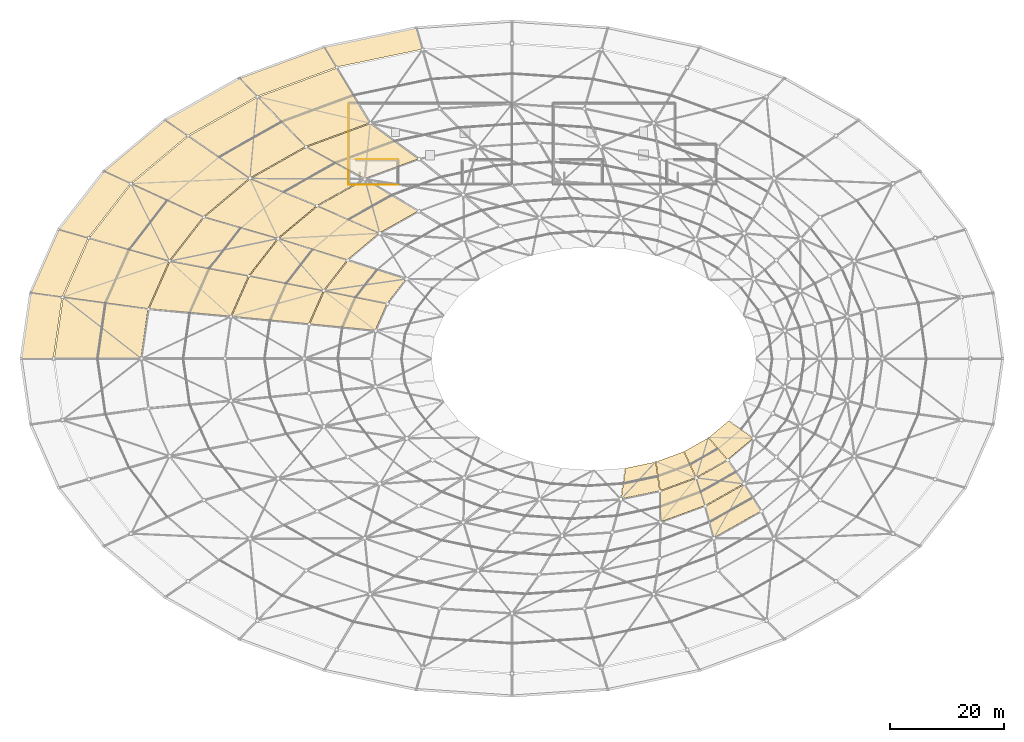
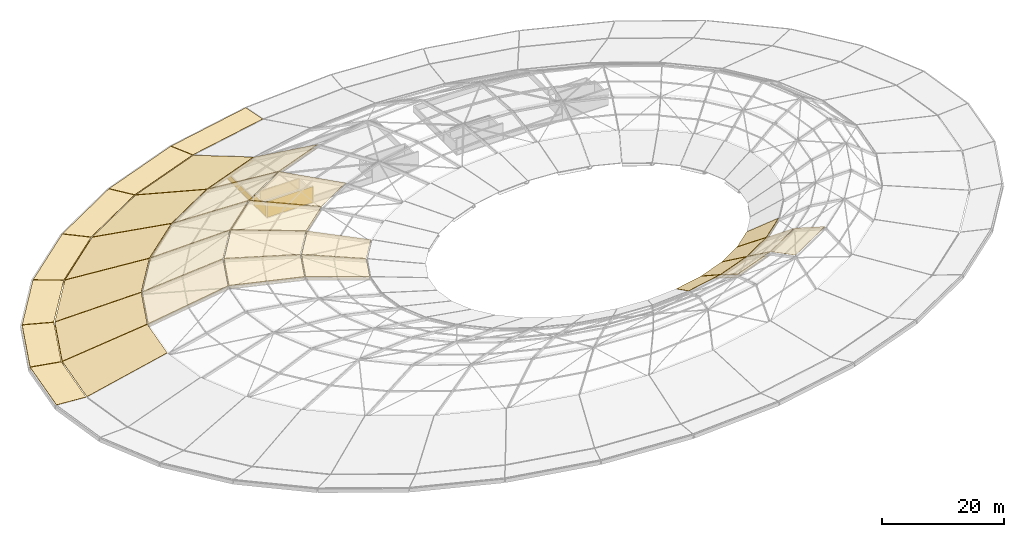
# One storey, part 26 of 30: 50 coverings.
"""IFC4 building model written with IfcOpenShell, lengths in metres."""

from ifc_helpers import new_model, si_unit, direction, frame, origin, origin_2d, place, context, subcontext, project, spatial, polyline, rectangle, outline, extrude, material, layer, layer_set, type_object, element, save


model = new_model("IFC4")

# Units and contexts
model_context = context("Model", 3, precision=1e-05, world=origin(), true_north=direction((0.0, 1.0)))
body_context = subcontext(model_context, "Body", "Model", "MODEL_VIEW")
ifc_project = project(units=[si_unit("LENGTHUNIT", "METRE"), si_unit("AREAUNIT", "SQUARE_METRE"), si_unit("VOLUMEUNIT", "CUBIC_METRE"), si_unit("PLANEANGLEUNIT", "RADIAN"), si_unit("MASSUNIT", "GRAM", prefix="KILO")], contexts=[model_context])

# Site, building, storey
site_placement = place(None, origin())
site = spatial("IfcSite", under=ifc_project, at=site_placement, CompositionType="ELEMENT")
building_placement = place(site_placement, origin())
building = spatial("IfcBuilding", under=site, at=building_placement, Name="Namkhue Oval Health Centre", CompositionType="ELEMENT")
storey_placement = place(building_placement, frame((0.0, 0.0, 26.39990234375)))
storey = spatial("IfcBuildingStorey", under=building, at=storey_placement, Name="RF", CompositionType="ELEMENT", Elevation=26.39990234375)

# Coverings
ifc_material_1 = material(Name="Slatted FSC timber acoustic soffit lining", Category="wood")
ifc_layer_1 = layer(ifc_material_1, 0.0400390625)
ifc_layer_set_1 = layer_set([ifc_layer_1], Name="Slatted FSC timber acoustic soffit lining")
covering_type_1 = type_object("IfcCoveringType", Name="SLATTED TIMBER SOFFIT CEILING 40", PredefinedType="CEILING", material=ifc_layer_set_1)
covering_1_placement = place(storey_placement, frame((53.343017578125, 114.185546875, 0.491455078125), z_axis=(0.032737529904, -0.089086259011, 0.995485757101), x_axis=(-0.938630551173, -0.344924177762, 4.43099e-07)))
element("IfcCovering", 1, at=covering_1_placement, inside=storey, type_object=covering_type_1, Name="Gridshell Canopy Slatted Timber Soffit K0-11", PredefinedType="CEILING", context=body_context, shape_type="SweptSolid", body=[
    extrude(outline(polyline([(0.0, 0.0), (15.802557697563413, 0.0), (14.01454935741236, 4.03344721094813), (-0.7726189498460142, 4.033304400568944), (0.0, 0.0)])), origin(), (0.0, 0.0, -1.0), 0.0400390625),
])
covering_2_placement = place(storey_placement, frame((25.349365234375, 101.321533203125, 0.49267578125), z_axis=(0.053762049906, -0.064176131317, 0.996489370821), x_axis=(-0.766561354037, -0.642171075724, -1.46024e-07)))
element("IfcCovering", 2, at=covering_2_placement, inside=storey, type_object=covering_type_1, Name="Gridshell Canopy Slatted Timber Soffit K0-13", PredefinedType="CEILING", context=body_context, shape_type="SweptSolid", body=[
    extrude(outline(polyline([(0.0, 0.0), (13.909646905209451, -8.881784197001252e-16), (11.736249092087503, 4.5987926852561625), (-1.2739480990193486, 4.598839639126922), (0.0, 0.0)])), origin(), (0.0, 0.0, -1.0), 0.0400390625),
])
covering_3_placement = place(storey_placement, frame((6.646728515625, 82.06787109375, 0.49365234375), z_axis=(0.066607833218, -0.02938905161, 0.997346319089), x_axis=(-0.403673069181, -0.91490330266, -3.5285e-07)))
element("IfcCovering", 3, at=covering_3_placement, inside=storey, type_object=covering_type_1, Name="Gridshell Canopy Slatted Timber Soffit K0-15", PredefinedType="CEILING", context=body_context, shape_type="SweptSolid", body=[
    extrude(outline(polyline([(0.0, 0.0), (12.080233983210904, -8.881784197001252e-16), (10.558141437876516, 5.31513256117358), (-0.7368073735753986, 5.315245851752626), (0.0, 0.0)])), origin(), (0.0, 0.0, -1.0), 0.0400390625),
])
covering_4_placement = place(storey_placement, frame((55.54541015625, 110.5302734375, 0.126953125), z_axis=(-0.102713755445, 0.279511611509, 0.954632465127), x_axis=(-0.938630095364, -0.344925418136, 4.58192e-07)))
element("IfcCovering", 4, at=covering_4_placement, inside=storey, type_object=covering_type_1, Name="Gridshell Canopy Slatted Timber Soffit K1-11", PredefinedType="CEILING", context=body_context, shape_type="SweptSolid", body=[
    extrude(outline(polyline([(0.0, 0.0), (14.742906242601475, -8.881784197001252e-16), (9.822723864490262, 11.57300097652242), (-2.1258785047471886, 11.573042045665701), (0.0, 0.0)])), origin(), (0.0, 0.0, -1.0), 0.0400390625),
])
covering_5_placement = place(storey_placement, frame((29.419921875, 98.52294921875, 0.1240234375), z_axis=(-0.170128801557, 0.203091515047, 0.964266574862), x_axis=(-0.766576159292, -0.642153402237, -8.04684e-07)))
element("IfcCovering", 5, at=covering_5_placement, inside=storey, type_object=covering_type_1, Name="Gridshell Canopy Slatted Timber Soffit K1-13", PredefinedType="CEILING", context=body_context, shape_type="SweptSolid", body=[
    extrude(outline(polyline([(0.0, 0.0), (12.975905292085148, 0.0), (7.016551791545525, 13.03024661351248), (-3.4937291258459626, 13.030175278904506), (0.0, 0.0)])), origin(), (0.0, 0.0, -1.0), 0.0400390625),
])
covering_6_placement = place(storey_placement, frame((11.96630859375, 80.552978515625, 0.12109375), z_axis=(-0.212441086668, 0.093737745952, 0.972667476417), x_axis=(-0.403694349545, -0.914893913055, -1.206069e-06)))
element("IfcCovering", 6, at=covering_6_placement, inside=storey, type_object=covering_type_1, Name="Gridshell Canopy Slatted Timber Soffit K1-15", PredefinedType="CEILING", context=body_context, shape_type="SweptSolid", body=[
    extrude(outline(polyline([(0.0, 0.0), (11.268597894417242, 0.0), (7.108980996924873, 14.892247283240136), (-2.013550467971211, 14.89214137089486), (0.0, 0.0)])), origin(), (0.0, 0.0, -1.0), 0.0400390625),
])
covering_7_placement = place(storey_placement, frame((61.4716796875, 100.756591796875, 3.63232421875), z_axis=(-0.12320577154, 0.335264184745, 0.934033331465), x_axis=(-0.938626054315, -0.344936414664, 7.26571e-07)))
element("IfcCovering", 7, at=covering_7_placement, inside=storey, type_object=covering_type_1, Name="Gridshell Canopy Slatted Timber Soffit K2-11", PredefinedType="CEILING", context=body_context, shape_type="SweptSolid", body=[
    extrude(outline(polyline([(0.0, 0.0), (11.894308419477884, 0.0), (4.312799369403991, 9.338808270164728), (-5.7859916338296715, 9.338853007520287), (0.0, 0.0)])), origin(), (0.0, 0.0, -1.0), 0.0400390625),
])
covering_8_placement = place(storey_placement, frame((40.328125, 91.04443359375, 3.6259765625), z_axis=(-0.185072944318, 0.220926693104, 0.957569528314), x_axis=(-0.766569639392, -0.642161185343, -7.86438e-07)))
element("IfcCovering", 8, at=covering_8_placement, inside=storey, type_object=covering_type_1, Name="Gridshell Canopy Slatted Timber Soffit K2-13", PredefinedType="CEILING", context=body_context, shape_type="SweptSolid", body=[
    extrude(outline(polyline([(0.0, 0.0), (10.473363995422202, 0.0), (3.013648255163925, 11.617347404433431), (-5.872753508638597, 11.617294576059944), (0.0, 0.0)])), origin(), (0.0, 0.0, -1.0), 0.0400390625),
])
covering_9_placement = place(storey_placement, frame((26.204345703125, 76.50634765625, 3.62158203125), z_axis=(-0.218181281084, 0.096268158125, 0.971148480056), x_axis=(-0.403682414671, -0.914899179191, -2.96076e-07)))
element("IfcCovering", 9, at=covering_9_placement, inside=storey, type_object=covering_type_1, Name="Gridshell Canopy Slatted Timber Soffit K2-15", PredefinedType="CEILING", context=body_context, shape_type="SweptSolid", body=[
    extrude(outline(polyline([(0.0, 0.0), (9.099577056047469, 0.0), (4.505770796915734, 14.076636770521), (-3.2107144309817865, 14.076615892799088), (0.0, 0.0)])), origin(), (0.0, 0.0, -1.0), 0.0400390625),
])
covering_10_placement = place(storey_placement, frame((52.154296875, 86.2119140625, 6.982177734375), z_axis=(0.12837354601, -0.153243160787, 0.979814659187), x_axis=(-0.766574467226, -0.642155422147, 1.996329e-06)))
element("IfcCovering", 10, at=covering_10_placement, inside=storey, type_object=covering_type_1, Name="Gridshell Canopy Slatted Timber Soffit K3-13", PredefinedType="CEILING", context=body_context, shape_type="SweptSolid", body=[
    extrude(outline(polyline([(0.0, 0.0), (8.86145667859026, -8.881784197001252e-16), (2.013036032761358, 10.825308827277835), (-5.2628341266217395, 10.825147676166356), (0.0, 0.0)])), origin(), (0.0, 0.0, -1.0), 0.0400390625),
])
covering_11_placement = place(storey_placement, frame((40.18505859375, 73.89111328125, 6.985107421875), z_axis=(0.151371365873, -0.066788436051, 0.986218035935), x_axis=(-0.4036798986, -0.914900289357, 8.29592e-07)))
element("IfcCovering", 11, at=covering_11_placement, inside=storey, type_object=covering_type_1, Name="Gridshell Canopy Slatted Timber Soffit K3-15", PredefinedType="CEILING", context=body_context, shape_type="SweptSolid", body=[
    extrude(outline(polyline([(0.0, 0.0), (7.6983398137062515, 0.0), (3.427626062607557, 13.116697717867739), (-2.8889358539815597, 13.11662744537015), (0.0, 0.0)])), origin(), (0.0, 0.0, -1.0), 0.0400390625),
])
covering_12_placement = place(storey_placement, frame((53.36181640625, 71.277099609375, 4.77392578125), z_axis=(0.266900152312, -0.117764036484, 0.956501929118), x_axis=(-0.403667193476, -0.914905895102, -4.365687e-06)))
element("IfcCovering", 12, at=covering_12_placement, inside=storey, type_object=covering_type_1, Name="Gridshell Canopy Slatted Timber Soffit K4-15", PredefinedType="CEILING", context=body_context, shape_type="SweptSolid", body=[
    extrude(outline(polyline([(0.0, 0.0), (6.297871219717964, -4.440892098500626e-16), (2.702063352441868, 11.475303688530142), (-2.3966732310316545, 11.475474239061555), (0.0, 0.0)])), origin(), (0.0, 0.0, -1.0), 0.0400390625),
])
covering_13_placement = place(storey_placement, frame((112.597900390625, 30.68359375, 4.750732421875), z_axis=(-0.189065933448, 0.514507881399, 0.836382515831), x_axis=(0.938631755363, 0.344920900821, -1.474134e-06)))
element("IfcCovering", 13, at=covering_13_placement, inside=storey, type_object=covering_type_1, Name="Gridshell Canopy Slatted Timber Soffit K4-27", PredefinedType="CEILING", context=body_context, shape_type="SweptSolid", body=[
    extrude(outline(polyline([(0.0, 0.0), (8.246037850297384, -4.440892098500626e-16), (8.442030850466255, 6.022584701418642), (1.7410210649503062, 6.0226248986423325), (0.0, 0.0)])), origin(), (0.0, 0.0, -1.0), 0.0400390625),
])
covering_14_placement = place(storey_placement, frame((112.481201171875, 36.168701171875, 1.3525390625), z_axis=(-0.182055727947, 0.495439615308, 0.849349927595), x_axis=(0.938632315248, 0.344919377184, -3.925493e-06)))
element("IfcCovering", 14, at=covering_14_placement, inside=storey, type_object=covering_type_1, Name="Gridshell Canopy Slatted Timber Soffit K5-27", PredefinedType="CEILING", context=body_context, shape_type="SweptSolid", body=[
    extrude(outline(polyline([(0.0, 0.0), (6.656289404918649, 0.0), (6.259304064037346, 5.882490253207861), (1.0700322682252563, 5.8825783490919665), (0.0, 0.0)])), origin(), (0.0, 0.0, -1.0), 0.0400390625),
])
covering_15_placement = place(storey_placement, frame((124.34716796875, 41.634521484375, 1.353271484375), z_axis=(-0.334460016336, 0.399268666354, 0.853651585566), x_axis=(0.766580555509, 0.642148154178, 1.063664e-06)))
element("IfcCovering", 15, at=covering_15_placement, inside=storey, type_object=covering_type_1, Name="Gridshell Canopy Slatted Timber Soffit K5-29", PredefinedType="CEILING", context=body_context, shape_type="SweptSolid", body=[
    extrude(outline(polyline([(0.0, 0.0), (5.852704969240003, 0.0), (4.514304455506923, 5.963787855414507), (-0.04571150030127316, 5.963766590650081), (0.0, 0.0)])), origin(), (0.0, 0.0, -1.0), 0.0400390625),
])
ifc_material_2 = material(Name="Standing-seam aluminium-zinc insulated roofing", Category="aluminium")
ifc_layer_2 = layer(ifc_material_2, 0.044921875)
ifc_layer_set_2 = layer_set([ifc_layer_2], Name="Standing-seam aluminium-zinc insulated roofing")
covering_type_2 = type_object("IfcCoveringType", Name="STANDING SEAM ROOFING 45", PredefinedType="ROOFING", material=ifc_layer_set_2)
covering_16_placement = place(storey_placement, frame((69.52783203125, 117.563720703125, 1.13818359375), z_axis=(0.020149844849, -0.096617533487, 0.995117599068), x_axis=(-0.97893864313, -0.204154679071, 5.42885e-07)))
element("IfcCovering", 16, at=covering_16_placement, inside=storey, type_object=covering_type_2, Name="Elliptical Gridshell Standing Seam Roofing K0-10", PredefinedType="ROOFING", context=body_context, shape_type="SweptSolid", body=[
    extrude(outline(polyline([(0.0, 0.0), (16.445485144497084, -4.440892098500626e-16), (15.0973871172491, 3.871352706761074), (-0.29370035746892614, 3.871177587935793), (0.0, 0.0)])), origin(), (0.0, 0.0, -1.0), 0.044921875),
])
covering_17_placement = place(storey_placement, frame((53.343017578125, 114.185546875, 1.138671875), z_axis=(0.032758220177, -0.089142561944, 0.995480036295), x_axis=(-0.938630551154, -0.344924177812, 4.43377e-07)))
element("IfcCovering", 17, at=covering_17_placement, inside=storey, type_object=covering_type_2, Name="Elliptical Gridshell Standing Seam Roofing K0-11", PredefinedType="ROOFING", context=body_context, shape_type="SweptSolid", body=[
    extrude(outline(polyline([(0.0, 0.0), (15.80255769756341, 0.0), (14.014549357412362, 4.033470389537509), (-0.7726189498460182, 4.033327579979017), (0.0, 0.0)])), origin(), (0.0, 0.0, -1.0), 0.044921875),
])
covering_18_placement = place(storey_placement, frame((38.425537109375, 108.701416015625, 1.138916015625), z_axis=(0.044082287911, -0.078130329397, 0.995968073545), x_axis=(-0.870939486541, -0.491390283566, 5.22588e-07)))
element("IfcCovering", 18, at=covering_18_placement, inside=storey, type_object=covering_type_2, Name="Elliptical Gridshell Standing Seam Roofing K0-12", PredefinedType="ROOFING", context=body_context, shape_type="SweptSolid", body=[
    extrude(outline(polyline([(0.0, 0.0), (14.92248530113261, -8.881784197001252e-16), (12.838955464622689, 4.278259172458241), (-1.1218517171195217, 4.278090915361625), (0.0, 0.0)])), origin(), (0.0, 0.0, -1.0), 0.044921875),
])
covering_19_placement = place(storey_placement, frame((25.349365234375, 101.321533203125, 1.1396484375), z_axis=(0.053762049906, -0.064176131317, 0.996489370821), x_axis=(-0.766561354037, -0.642171075724, -1.46024e-07)))
element("IfcCovering", 19, at=covering_19_placement, inside=storey, type_object=covering_type_2, Name="Elliptical Gridshell Standing Seam Roofing K0-13", PredefinedType="ROOFING", context=body_context, shape_type="SweptSolid", body=[
    extrude(outline(polyline([(0.0, 0.0), (13.909646905209451, -8.881784197001252e-16), (11.736249092087503, 4.5987926852561625), (-1.2739480990193486, 4.598839639126922), (0.0, 0.0)])), origin(), (0.0, 0.0, -1.0), 0.044921875),
])
covering_20_placement = place(storey_placement, frame((14.618408203125, 92.328369140625, 1.14013671875), z_axis=(0.061353092778, -0.047699993446, 0.996975681063), x_axis=(-0.613788661906, -0.789470378492, 1.01146e-07)))
element("IfcCovering", 20, at=covering_20_placement, inside=storey, type_object=covering_type_2, Name="Elliptical Gridshell Standing Seam Roofing K0-14", PredefinedType="ROOFING", context=body_context, shape_type="SweptSolid", body=[
    extrude(outline(polyline([(0.0, 0.0), (12.904530024973468, 1.7763568394002505e-15), (10.907092694096388, 4.966757780622863), (-1.1605920699277579, 4.96672527906856), (0.0, 0.0)])), origin(), (0.0, 0.0, -1.0), 0.044921875),
])
covering_21_placement = place(storey_placement, frame((6.646728515625, 82.06787109375, 1.140625), z_axis=(0.066607833218, -0.02938905161, 0.997346319089), x_axis=(-0.403673069181, -0.91490330266, -3.5285e-07)))
element("IfcCovering", 21, at=covering_21_placement, inside=storey, type_object=covering_type_2, Name="Elliptical Gridshell Standing Seam Roofing K0-15", PredefinedType="ROOFING", context=body_context, shape_type="SweptSolid", body=[
    extrude(outline(polyline([(0.0, 0.0), (12.080233983210904, -8.881784197001252e-16), (10.558141437876516, 5.31513256117358), (-0.7368073735753986, 5.315245851752626), (0.0, 0.0)])), origin(), (0.0, 0.0, -1.0), 0.044921875),
])
covering_22_placement = place(storey_placement, frame((1.7431640625, 70.9345703125, 1.140869140625), z_axis=(0.069282472484, -0.00992574886, 0.997547702376), x_axis=(-0.141815844053, -0.98989305805, -7.777e-08)))
element("IfcCovering", 22, at=covering_22_placement, inside=storey, type_object=covering_type_2, Name="Elliptical Gridshell Standing Seam Roofing K0-16", PredefinedType="ROOFING", context=body_context, shape_type="SweptSolid", body=[
    extrude(outline(polyline([(0.0, 0.0), (11.610017545639138, -2.220446049250313e-16), (10.818881824643194, 5.535806068070811), (-0.03520813836351356, 5.535831029326301), (0.0, 0.0)])), origin(), (0.0, 0.0, -1.0), 0.044921875),
])
covering_23_placement = place(storey_placement, frame((55.54541015625, 110.5302734375, 0.77880859375), z_axis=(-0.10272038654, 0.279529656493, 0.95462646796), x_axis=(-0.938630095371, -0.344925418119, 4.58219e-07)))
element("IfcCovering", 23, at=covering_23_placement, inside=storey, type_object=covering_type_2, Name="Elliptical Gridshell Standing Seam Roofing K1-11", PredefinedType="ROOFING", context=body_context, shape_type="SweptSolid", body=[
    extrude(outline(polyline([(0.0, 0.0), (14.742906242601473, 0.0), (9.822723864490262, 11.573073680769719), (-2.125878504747189, 11.573114749654996), (0.0, 0.0)])), origin(), (0.0, 0.0, -1.0), 0.044921875),
])
covering_24_placement = place(storey_placement, frame((41.623291015625, 105.411376953125, 0.777587890625), z_axis=(-0.138893183701, 0.246170944741, 0.959222888325), x_axis=(-0.870933882183, -0.491400216588, 1.747117e-06)))
element("IfcCovering", 24, at=covering_24_placement, inside=storey, type_object=covering_type_2, Name="Elliptical Gridshell Standing Seam Roofing K1-12", PredefinedType="ROOFING", context=body_context, shape_type="SweptSolid", body=[
    extrude(outline(polyline([(0.0, 0.0), (13.921561245083682, 0.0), (8.197918543198737, 12.202197233041476), (-3.081809875345191, 12.202353006885643), (0.0, 0.0)])), origin(), (0.0, 0.0, -1.0), 0.044921875),
])
covering_25_placement = place(storey_placement, frame((29.419921875, 98.52294921875, 0.77587890625), z_axis=(-0.170139988706, 0.203104869723, 0.964261788177), x_axis=(-0.766576159273, -0.642153402259, -8.04733e-07)))
element("IfcCovering", 25, at=covering_25_placement, inside=storey, type_object=covering_type_2, Name="Elliptical Gridshell Standing Seam Roofing K1-13", PredefinedType="ROOFING", context=body_context, shape_type="SweptSolid", body=[
    extrude(outline(polyline([(0.0, 0.0), (12.975905292085145, 1.7763568394002505e-15), (7.016551791545524, 13.030311296661807), (-3.4937291258459657, 13.03023996240794), (0.0, 0.0)])), origin(), (0.0, 0.0, -1.0), 0.044921875),
])
covering_26_placement = place(storey_placement, frame((19.4052734375, 90.12939453125, 0.7744140625), z_axis=(-0.195052004568, 0.151643741344, 0.96899891188), x_axis=(-0.613781870874, -0.78947565826, -3.52697e-07)))
element("IfcCovering", 26, at=covering_26_placement, inside=storey, type_object=covering_type_2, Name="Elliptical Gridshell Standing Seam Roofing K1-14", PredefinedType="ROOFING", context=body_context, shape_type="SweptSolid", body=[
    extrude(outline(polyline([(0.0, 0.0), (12.037942746398443, -8.881784197001252e-16), (6.571366158357307, 13.985488586376757), (-3.1762902751573936, 13.985457486394111), (0.0, 0.0)])), origin(), (0.0, 0.0, -1.0), 0.044921875),
])
covering_27_placement = place(storey_placement, frame((11.96630859375, 80.552978515625, 0.77294921875), z_axis=(-0.212455276554, 0.093744007114, 0.972663773662), x_axis=(-0.40369434951, -0.91489391307, -1.206145e-06)))
element("IfcCovering", 27, at=covering_27_placement, inside=storey, type_object=covering_type_2, Name="Elliptical Gridshell Standing Seam Roofing K1-15", PredefinedType="ROOFING", context=body_context, shape_type="SweptSolid", body=[
    extrude(outline(polyline([(0.0, 0.0), (11.26859789441724, 0.0), (7.108980996924874, 14.892303975045468), (-2.0135504679712137, 14.892198063103379), (0.0, 0.0)])), origin(), (0.0, 0.0, -1.0), 0.044921875),
])
covering_28_placement = place(storey_placement, frame((7.390380859375, 70.162353515625, 0.772216796875), z_axis=(-0.221398563448, 0.031715542749, 0.974667533291), x_axis=(-0.141797236863, -0.989895723607, 1.41135e-06)))
element("IfcCovering", 28, at=covering_28_placement, inside=storey, type_object=covering_type_2, Name="Elliptical Gridshell Standing Seam Roofing K1-16", PredefinedType="ROOFING", context=body_context, shape_type="SweptSolid", body=[
    extrude(outline(polyline([(0.0, 0.0), (10.829886655075333, 0.0), (8.670218534604265, 15.46868090951535), (-0.09611084283821034, 15.468804567254889), (0.0, 0.0)])), origin(), (0.0, 0.0, -1.0), 0.044921875),
])
covering_29_placement = place(storey_placement, frame((61.4716796875, 100.756591796875, 4.289306640625), z_axis=(-0.12320577154, 0.335264184745, 0.934033331465), x_axis=(-0.938626054315, -0.344936414664, 7.26571e-07)))
element("IfcCovering", 29, at=covering_29_placement, inside=storey, type_object=covering_type_2, Name="Elliptical Gridshell Standing Seam Roofing K2-11", PredefinedType="ROOFING", context=body_context, shape_type="SweptSolid", body=[
    extrude(outline(polyline([(0.0, 0.0), (11.894308419477884, 0.0), (4.312799369403991, 9.338808270164728), (-5.7859916338296715, 9.338853007520287), (0.0, 0.0)])), origin(), (0.0, 0.0, -1.0), 0.044921875),
])
covering_30_placement = place(storey_placement, frame((50.204345703125, 96.61669921875, 4.2861328125), z_axis=(-0.157922686514, 0.279892206807, 0.946953418946), x_axis=(-0.870927065105, -0.49141229864, 3.517427e-06)))
element("IfcCovering", 30, at=covering_30_placement, inside=storey, type_object=covering_type_2, Name="Elliptical Gridshell Standing Seam Roofing K2-12", PredefinedType="ROOFING", context=body_context, shape_type="SweptSolid", body=[
    extrude(outline(polyline([(0.0, 0.0), (11.233939704820234, 8.881784197001252e-16), (3.4430982146086992, 10.399290785882009), (-6.0916690255506865, 10.399518100846292), (0.0, 0.0)])), origin(), (0.0, 0.0, -1.0), 0.044921875),
])
covering_31_placement = place(storey_placement, frame((40.328125, 91.04443359375, 4.282958984375), z_axis=(-0.185072944318, 0.220926693104, 0.957569528314), x_axis=(-0.766569639392, -0.642161185343, -7.86438e-07)))
element("IfcCovering", 31, at=covering_31_placement, inside=storey, type_object=covering_type_2, Name="Elliptical Gridshell Standing Seam Roofing K2-13", PredefinedType="ROOFING", context=body_context, shape_type="SweptSolid", body=[
    extrude(outline(polyline([(0.0, 0.0), (10.473363995422202, 0.0), (3.013648255163925, 11.617347404433431), (-5.872753508638597, 11.617294576059944), (0.0, 0.0)])), origin(), (0.0, 0.0, -1.0), 0.044921875),
])
covering_32_placement = place(storey_placement, frame((32.223876953125, 84.254150390625, 4.280517578125), z_axis=(-0.205052770393, 0.159424689867, 0.965679620586), x_axis=(-0.613799403914, -0.789462026796, -1.583811e-06)))
element("IfcCovering", 32, at=covering_32_placement, inside=storey, type_object=covering_type_2, Name="Elliptical Gridshell Standing Seam Roofing K2-14", PredefinedType="ROOFING", context=body_context, shape_type="SweptSolid", body=[
    extrude(outline(polyline([(0.0, 0.0), (9.719092044133925, 8.881784197001252e-16), (3.291599298203575, 12.910319294848467), (-4.951975383048751, 12.910209762648428), (0.0, 0.0)])), origin(), (0.0, 0.0, -1.0), 0.044921875),
])
covering_33_placement = place(storey_placement, frame((26.204345703125, 76.50634765625, 4.278564453125), z_axis=(-0.218196246313, 0.096274761235, 0.971144463221), x_axis=(-0.403682414662, -0.914899179196, -2.96095e-07)))
element("IfcCovering", 33, at=covering_33_placement, inside=storey, type_object=covering_type_2, Name="Elliptical Gridshell Standing Seam Roofing K2-15", PredefinedType="ROOFING", context=body_context, shape_type="SweptSolid", body=[
    extrude(outline(polyline([(0.0, 0.0), (9.099577056047469, -4.440892098500626e-16), (4.505770796915736, 14.076694994085788), (-3.210714430981786, 14.07667411645023), (0.0, 0.0)])), origin(), (0.0, 0.0, -1.0), 0.044921875),
])
covering_34_placement = place(storey_placement, frame((60.524169921875, 90.933837890625, 7.64208984375), z_axis=(0.109496423861, -0.194068876245, 0.974857838064), x_axis=(-0.870936223107, -0.491396067627, -2.88036e-07)))
element("IfcCovering", 34, at=covering_34_placement, inside=storey, type_object=covering_type_2, Name="Elliptical Gridshell Standing Seam Roofing K3-12", PredefinedType="ROOFING", context=body_context, shape_type="SweptSolid", body=[
    extrude(outline(polyline([(0.0, 0.0), (9.505362782028726, 8.881784197001252e-16), (2.4078136046569516, 9.69318967902931), (-5.399919751048516, 9.693212058634671), (0.0, 0.0)])), origin(), (0.0, 0.0, -1.0), 0.044921875),
])
covering_35_placement = place(storey_placement, frame((52.154296875, 86.2119140625, 7.64404296875), z_axis=(0.12837354601, -0.153243160787, 0.979814659187), x_axis=(-0.766574467226, -0.642155422147, 1.996329e-06)))
element("IfcCovering", 35, at=covering_35_placement, inside=storey, type_object=covering_type_2, Name="Elliptical Gridshell Standing Seam Roofing K3-13", PredefinedType="ROOFING", context=body_context, shape_type="SweptSolid", body=[
    extrude(outline(polyline([(0.0, 0.0), (8.86145667859026, -8.881784197001252e-16), (2.013036032761358, 10.825308827277835), (-5.2628341266217395, 10.825147676166356), (0.0, 0.0)])), origin(), (0.0, 0.0, -1.0), 0.044921875),
])
covering_36_placement = place(storey_placement, frame((45.285888671875, 80.457275390625, 7.64599609375), z_axis=(0.142263711546, -0.110606127383, 0.983629666573), x_axis=(-0.613786563882, -0.789472009635, -9.0175e-07)))
element("IfcCovering", 36, at=covering_36_placement, inside=storey, type_object=covering_type_2, Name="Elliptical Gridshell Standing Seam Roofing K3-14", PredefinedType="ROOFING", context=body_context, shape_type="SweptSolid", body=[
    extrude(outline(polyline([(0.0, 0.0), (8.222526150574593, -4.440892098500626e-16), (2.2857238919119744, 12.029418527111181), (-4.462997859955785, 12.029493444941552), (0.0, 0.0)])), origin(), (0.0, 0.0, -1.0), 0.044921875),
])
covering_37_placement = place(storey_placement, frame((40.18505859375, 73.89111328125, 7.647216796875), z_axis=(0.151371365873, -0.066788436051, 0.986218035935), x_axis=(-0.4036798986, -0.914900289357, 8.29592e-07)))
element("IfcCovering", 37, at=covering_37_placement, inside=storey, type_object=covering_type_2, Name="Elliptical Gridshell Standing Seam Roofing K3-15", PredefinedType="ROOFING", context=body_context, shape_type="SweptSolid", body=[
    extrude(outline(polyline([(0.0, 0.0), (7.6983398137062515, 0.0), (3.427626062607557, 13.116697717867739), (-2.8889358539815597, 13.11662744537015), (0.0, 0.0)])), origin(), (0.0, 0.0, -1.0), 0.044921875),
])
covering_38_placement = place(storey_placement, frame((121.93603515625, 27.895751953125, 7.629638671875), z_axis=(-0.177095613482, 0.3138834191, 0.932799197523), x_axis=(0.870938055847, 0.491392819318, -8.02899e-07)))
element("IfcCovering", 38, at=covering_38_placement, inside=storey, type_object=covering_type_2, Name="Elliptical Gridshell Standing Seam Roofing K3-28", PredefinedType="ROOFING", context=body_context, shape_type="SweptSolid", body=[
    extrude(outline(polyline([(0.0, 0.0), (9.510389835961131, -4.440892098500626e-16), (9.256505315005674, 5.924036915262301), (1.4238493206166836, 5.924075552467147), (0.0, 0.0)])), origin(), (0.0, 0.0, -1.0), 0.044921875),
])
covering_39_placement = place(storey_placement, frame((57.5439453125, 76.662841796875, 5.438720703125), z_axis=(0.249144348708, -0.193700191967, 0.948897955072), x_axis=(-0.6137712886, -0.789483885368, -5.830128e-06)))
element("IfcCovering", 39, at=covering_39_placement, inside=storey, type_object=covering_type_2, Name="Elliptical Gridshell Standing Seam Roofing K4-14", PredefinedType="ROOFING", context=body_context, shape_type="SweptSolid", body=[
    extrude(outline(polyline([(0.0, 0.0), (6.72752337165045, -4.440892098500626e-16), (1.743487063938662, 10.593887715334194), (-3.704893356877349, 10.594112654762412), (0.0, 0.0)])), origin(), (0.0, 0.0, -1.0), 0.044921875),
])
covering_40_placement = place(storey_placement, frame((53.36181640625, 71.277099609375, 5.44091796875), z_axis=(0.266900152312, -0.117764036484, 0.956501929118), x_axis=(-0.403667193476, -0.914905895102, -4.365687e-06)))
element("IfcCovering", 40, at=covering_40_placement, inside=storey, type_object=covering_type_2, Name="Elliptical Gridshell Standing Seam Roofing K4-15", PredefinedType="ROOFING", context=body_context, shape_type="SweptSolid", body=[
    extrude(outline(polyline([(0.0, 0.0), (6.297871219717964, -4.440892098500626e-16), (2.702063352441868, 11.475303688530142), (-2.3966732310316545, 11.475474239061555), (0.0, 0.0)])), origin(), (0.0, 0.0, -1.0), 0.044921875),
])
covering_41_placement = place(storey_placement, frame((112.597900390625, 30.68359375, 5.417724609375), z_axis=(-0.189065933448, 0.514507881399, 0.836382515831), x_axis=(0.938631755363, 0.344920900821, -1.474134e-06)))
element("IfcCovering", 41, at=covering_41_placement, inside=storey, type_object=covering_type_2, Name="Elliptical Gridshell Standing Seam Roofing K4-27", PredefinedType="ROOFING", context=body_context, shape_type="SweptSolid", body=[
    extrude(outline(polyline([(0.0, 0.0), (8.246037850297384, -4.440892098500626e-16), (8.442030850466255, 6.022584701418642), (1.7410210649503062, 6.0226248986423325), (0.0, 0.0)])), origin(), (0.0, 0.0, -1.0), 0.044921875),
])
covering_42_placement = place(storey_placement, frame((120.414306640625, 33.564208984375, 5.4169921875), z_axis=(-0.273012324209, 0.483892068631, 0.831452185484), x_axis=(0.870937658911, 0.491393522808, -5.669313e-06)))
element("IfcCovering", 42, at=covering_42_placement, inside=storey, type_object=covering_type_2, Name="Elliptical Gridshell Standing Seam Roofing K4-28", PredefinedType="ROOFING", context=body_context, shape_type="SweptSolid", body=[
    extrude(outline(polyline([(0.0, 0.0), (7.785324243981882, 0.0), (7.329294143230068, 5.9391379264789474), (1.002852309761472, 5.939281923158651), (0.0, 0.0)])), origin(), (0.0, 0.0, -1.0), 0.044921875),
])
covering_43_placement = place(storey_placement, frame((105.618408203125, 34.72998046875, 2.025390625), z_axis=(-0.106180582631, 0.509149746942, 0.854103166521), x_axis=(0.978938842083, 0.204153725072, -6.09815e-07)))
element("IfcCovering", 43, at=covering_43_placement, inside=storey, type_object=covering_type_2, Name="Elliptical Gridshell Standing Seam Roofing K5-26", PredefinedType="ROOFING", context=body_context, shape_type="SweptSolid", body=[
    extrude(outline(polyline([(0.0, 0.0), (6.927642989434663, 0.0), (7.25654477468893, 5.972734541512028), (1.8559395872540994, 5.972748996219179), (0.0, 0.0)])), origin(), (0.0, 0.0, -1.0), 0.044921875),
])
covering_44_placement = place(storey_placement, frame((112.481201171875, 36.168701171875, 2.024658203125), z_axis=(-0.182055727947, 0.495439615308, 0.849349927595), x_axis=(0.938632315248, 0.344919377184, -3.925493e-06)))
element("IfcCovering", 44, at=covering_44_placement, inside=storey, type_object=covering_type_2, Name="Elliptical Gridshell Standing Seam Roofing K5-27", PredefinedType="ROOFING", context=body_context, shape_type="SweptSolid", body=[
    extrude(outline(polyline([(0.0, 0.0), (6.656289404918649, 0.0), (6.259304064037346, 5.882490253207861), (1.0700322682252563, 5.8825783490919665), (0.0, 0.0)])), origin(), (0.0, 0.0, -1.0), 0.044921875),
])
covering_45_placement = place(storey_placement, frame((118.80517578125, 38.5, 2.024658203125), z_axis=(-0.259426949455, 0.459795764264, 0.849285295447), x_axis=(0.870939596554, 0.491390088526, 7.207693e-06)))
element("IfcCovering", 45, at=covering_45_placement, inside=storey, type_object=covering_type_2, Name="Elliptical Gridshell Standing Seam Roofing K5-28", PredefinedType="ROOFING", context=body_context, shape_type="SweptSolid", body=[
    extrude(outline(polyline([(0.0, 0.0), (6.283046673992098, 0.0), (5.309119155514227, 5.881450599490743), (0.4115827336166656, 5.88129795506272), (0.0, 0.0)])), origin(), (0.0, 0.0, -1.0), 0.044921875),
])
covering_46_placement = place(storey_placement, frame((124.34716796875, 41.634521484375, 2.025146484375), z_axis=(-0.334460016336, 0.399268666354, 0.853651585566), x_axis=(0.766580555509, 0.642148154178, 1.063664e-06)))
element("IfcCovering", 46, at=covering_46_placement, inside=storey, type_object=covering_type_2, Name="Elliptical Gridshell Standing Seam Roofing K5-29", PredefinedType="ROOFING", context=body_context, shape_type="SweptSolid", body=[
    extrude(outline(polyline([(0.0, 0.0), (5.852704969240003, 0.0), (4.514304455506923, 5.963787855414507), (-0.04571150030127316, 5.963766590650081), (0.0, 0.0)])), origin(), (0.0, 0.0, -1.0), 0.044921875),
])
ifc_material_3 = material(Name="White glass-fibre reinforced concrete GRC rainscreen cladding", Category="concrete")
ifc_layer_3 = layer(ifc_material_3, 0.02490234375)
ifc_layer_set_3 = layer_set([ifc_layer_3], Name="White glass-fibre reinforced concrete GRC rainscreen cladding")
covering_type_3 = type_object("IfcCoveringType", Name="WHITE GRC RAINSCREEN CLADDING 25", PredefinedType="CLADDING", material=ifc_layer_set_3)
covering_47_placement = place(storey_placement, frame((57.587890625, 99.399658203125, 0.01025390625), z_axis=(0.0, 0.0, 1.0), x_axis=(0.0, 1.0, 0.0)))
element("IfcCovering", 47, at=covering_47_placement, inside=storey, type_object=covering_type_3, Name="Volume V2 RF Parapet 1 White GRC Cladding 1", PredefinedType="CLADDING", context=body_context, shape_type="SweptSolid", body=[
    extrude(rectangle(XDim=9.755615234375, YDim=0.02490234375, at=origin_2d()), origin(), (0.0, 0.0, 1.0), 1.1298828125),
])
covering_48_placement = place(storey_placement, frame((62.0, 89.988037109375, 0.01025390625), z_axis=(0.0, 0.0, 1.0), x_axis=(1.0, 0.0, 0.0)))
element("IfcCovering", 48, at=covering_48_placement, inside=storey, type_object=covering_type_3, Name="Core SC-03 RF Core S White GRC Cladding 1", PredefinedType="CLADDING", context=body_context, shape_type="SweptSolid", body=[
    extrude(rectangle(XDim=8.760009765625, YDim=0.02490234375, at=origin_2d()), origin(), (0.0, 0.0, 1.0), 3.179931640625),
])
covering_49_placement = place(storey_placement, frame((62.64990234375, 94.511962890625, 0.01025390625), z_axis=(0.0, 0.0, 1.0), x_axis=(-1.0, 0.0, 0.0)))
element("IfcCovering", 49, at=covering_49_placement, inside=storey, type_object=covering_type_3, Name="Core SC-03 RF Core N White GRC Cladding 1", PredefinedType="CLADDING", context=body_context, shape_type="SweptSolid", body=[
    extrude(rectangle(XDim=7.4599609375, YDim=0.02490234375, at=origin_2d()), origin(), (0.0, 0.0, 1.0), 2.1298828125),
])
covering_50_placement = place(storey_placement, frame((57.587890625, 92.25, 0.01025390625), z_axis=(0.0, 0.0, 1.0), x_axis=(0.0, -1.0, 0.0)))
element("IfcCovering", 50, at=covering_50_placement, inside=storey, type_object=covering_type_3, Name="Core SC-03 RF Core W White GRC Cladding 1", PredefinedType="CLADDING", context=body_context, shape_type="SweptSolid", body=[
    extrude(rectangle(XDim=3.9599609375, YDim=0.02490234375, at=origin_2d()), origin(), (0.0, 0.0, 1.0), 2.1298828125),
])

save(model, "model.ifc")
